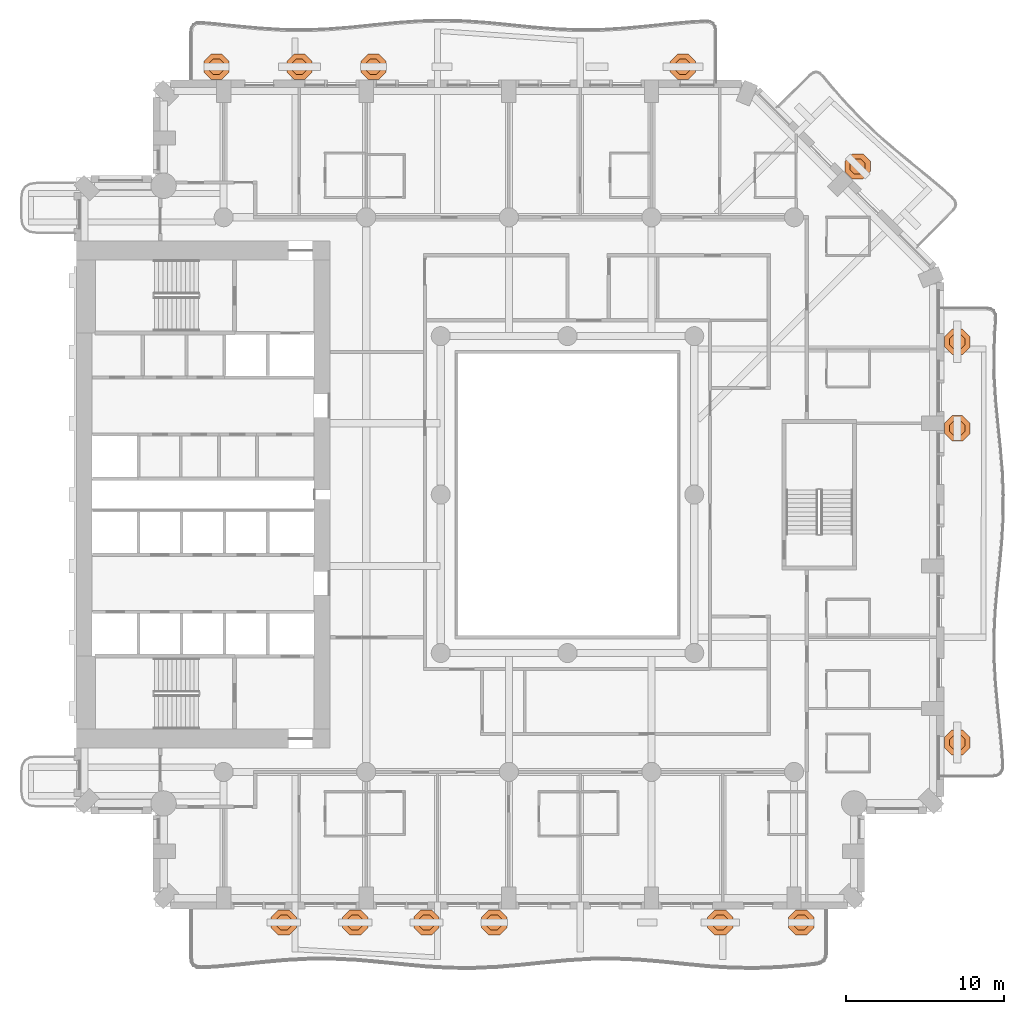
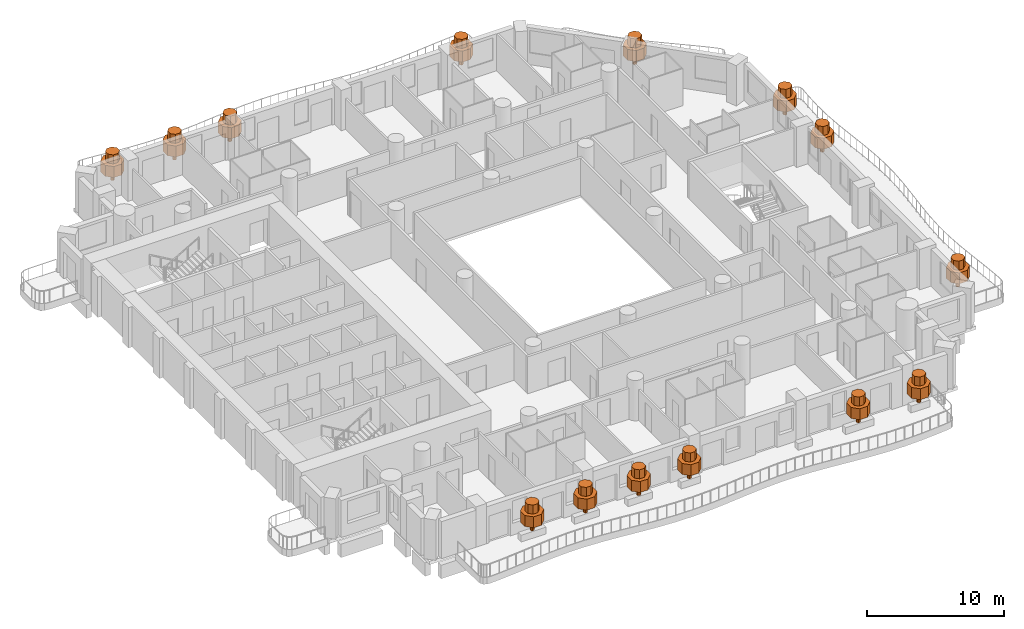
# One storey, part 20 of 20: 14 geographic elements.
"""IFC4 building model written with IfcOpenShell, lengths in metres."""

from ifc_helpers import new_model, si_unit, direction, frame, origin, place, context, subcontext, project, spatial, polyline, outline, extrude, material, type_object, element, save


model = new_model("IFC4")

# Units and contexts
model_context = context("Model", 3, precision=1e-05, world=origin(), true_north=direction((0.0, 1.0)))
body_context = subcontext(model_context, "Body", "Model", "MODEL_VIEW")
ifc_project = project(units=[si_unit("LENGTHUNIT", "METRE"), si_unit("AREAUNIT", "SQUARE_METRE"), si_unit("VOLUMEUNIT", "CUBIC_METRE"), si_unit("PLANEANGLEUNIT", "RADIAN"), si_unit("MASSUNIT", "GRAM", prefix="KILO")], contexts=[model_context])

# Site, building, storey
site_placement = place(None, origin())
site = spatial("IfcSite", under=ifc_project, at=site_placement, CompositionType="ELEMENT")
building_placement = place(site_placement, origin())
building = spatial("IfcBuilding", under=site, at=building_placement, Name="Cypress Arch Tower", CompositionType="ELEMENT")
storey_placement = place(building_placement, frame((0.0, 0.0, 77.10009765625)))
storey = spatial("IfcBuildingStorey", under=building, at=storey_placement, Name="L13", CompositionType="ELEMENT", Elevation=77.10009765625)

# Geographic elements
ifc_material = material(Name="Foliage and planting")
geographic_element_type = type_object("IfcGeographicElementType", Name="Balcony tree TR", PredefinedType="USERDEFINED", material=ifc_material)
for number, where, z_axis, x_axis, name in (
    (1, (-16.89990234375, -27.0, 0.599853515625), (0.0, 0.0, 1.0), (1.0, 0.0, 0.0), "Balcony tree L13-A03.1"),
    (2, (-12.39990234375, -27.0, 0.599853515625), (0.0, 0.0, 1.0), (1.0, 0.0, 0.0), "Balcony tree L13-A03.2"),
    (3, (-7.89990234375, -27.0, 0.599853515625), (0.0, 0.0, 1.0), (1.0, 0.0, 0.0), "Balcony tree L13-A03.3"),
    (4, (-3.625, -27.0, 0.599853515625), (0.0, 0.0, 1.0), (1.0, 0.0, 0.0), "Balcony tree L13-A03.4"),
    (5, (10.639892578125, -27.0, 0.599853515625), (0.0, 0.0, 1.0), (1.0, 0.0, 0.0), "Balcony tree L13-A03.6"),
    (6, (15.75, -27.0, 0.599853515625), (0.0, 0.0, 1.0), (1.0, 0.0, 0.0), "Balcony tree L13-A03.7"),
    (7, (25.60009765625, -15.642822265625, 0.599853515625), (0.0, 0.0, 1.0), (1.0, 0.0, 0.0), "Balcony tree L13-A06.1"),
    (8, (25.60009765625, 4.1826171875, 0.599853515625), (0.0, 0.0, 1.0), (1.0, 0.0, 0.0), "Balcony tree L13-A06.2"),
    (9, (25.60009765625, 9.642822265625, 0.599853515625), (0.0, 0.0, 1.0), (1.0, 0.0, 0.0), "Balcony tree L13-A06.3"),
    (10, (19.30712890625, 20.70703125, 0.599853515625), (0.0, 0.0, 1.0), (1.0, 0.0, 0.0), "Balcony tree L13-A07.2"),
    (11, (8.28125, 27.0, 0.599853515625), (0.0, 0.0, 1.0), (1.0, 0.0, 0.0), "Balcony tree L13-A08.1"),
    (12, (-11.24365234375, 27.0, 0.599853515625), (0.0, 0.0, 1.0), (1.0, 0.0, 0.0), "Balcony tree L13-A08.4"),
    (13, (-15.91259765625, 27.0, 0.599853515625), (0.0, 0.0, 1.0), (1.0, 0.0, 0.0), "Balcony tree L13-A08.5"),
    (14, (-21.14990234375, 27.0, 0.599853515625), (0.0, 0.0, 1.0), (1.0, 0.0, 0.0), "Balcony tree L13-A08.6"),
):
    element("IfcGeographicElement", number, at=place(storey_placement, frame(where, z_axis=z_axis, x_axis=x_axis)), inside=storey, type_object=geographic_element_type, Name=name, ObjectType="TREE", PredefinedType="USERDEFINED", context=body_context, shape_type="SweptSolid", body=[
        extrude(outline(polyline([(0.14990234375, 0.06201171875), (0.06201171875, 0.14990234375), (-0.06201171875, 0.14990234375), (-0.14990234375, 0.06201171875), (-0.14990234375, -0.06201171875), (-0.06201171875, -0.14990234375), (0.06201171875, -0.14990234375), (0.14990234375, -0.06201171875), (0.14990234375, 0.06201171875)])), origin(), (0.0, 0.0, 1.0), 0.864990234375),
        extrude(outline(polyline([(0.800048828125, 0.331298828125), (0.331298828125, 0.800048828125), (-0.331298828125, 0.800048828125), (-0.800048828125, 0.331298828125), (-0.800048828125, -0.331298828125), (-0.331298828125, -0.800048828125), (0.331298828125, -0.800048828125), (0.800048828125, -0.331298828125), (0.800048828125, 0.331298828125)])), frame((0.0, 0.0, 0.764892578125)), (0.0, 0.0, 1.0), 0.981689453125),
        extrude(outline(polyline([(0.47998046875, 0.19873046875), (0.19873046875, 0.47998046875), (-0.19873046875, 0.47998046875), (-0.47998046875, 0.19873046875), (-0.47998046875, -0.19873046875), (-0.19873046875, -0.47998046875), (0.19873046875, -0.47998046875), (0.47998046875, -0.19873046875), (0.47998046875, 0.19873046875)])), frame((0.0, 0.0, 1.746826171875)), (0.0, 0.0, 1.0), 0.80322265625),
    ])

save(model, "model.ifc")
